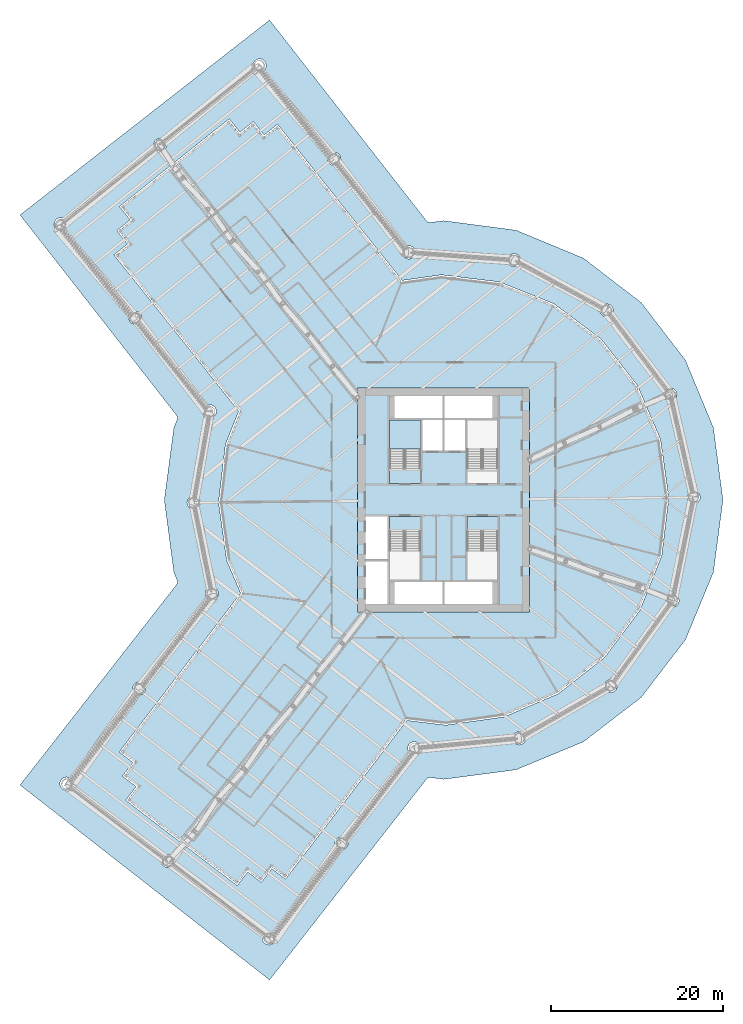
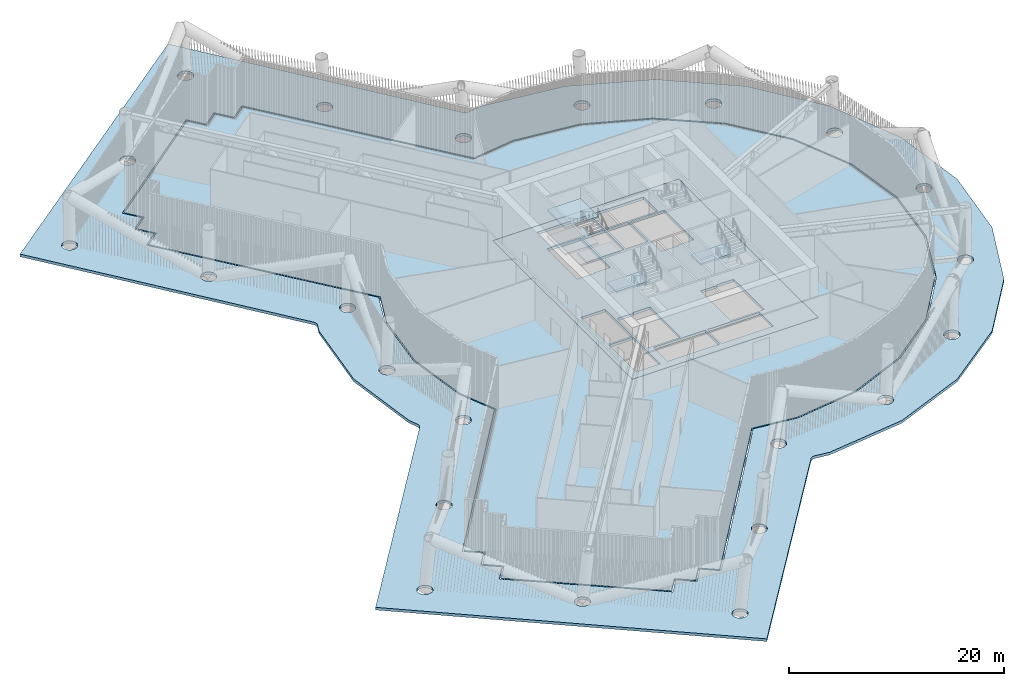
# One storey, part 14 of 48: 8 slabs, 3 elements without a shape of their own.
"""IFC4 building model written with IfcOpenShell, lengths in metres."""

from ifc_helpers import new_model, si_unit, direction, frame, origin, place, context, subcontext, project, spatial, polyline, outline, extrude, material, layer, layer_set, type_object, element, aggregate, save


model = new_model("IFC4")

# Units and contexts
model_context = context("Model", 3, precision=1e-05, world=origin(), true_north=direction((0.0, 1.0)))
body_context = subcontext(model_context, "Body", "Model", "MODEL_VIEW")
ifc_project = project(units=[si_unit("LENGTHUNIT", "METRE"), si_unit("AREAUNIT", "SQUARE_METRE"), si_unit("VOLUMEUNIT", "CUBIC_METRE"), si_unit("PLANEANGLEUNIT", "RADIAN"), si_unit("MASSUNIT", "GRAM", prefix="KILO")], contexts=[model_context])

# Site, building, storey
site_placement = place(None, origin())
site = spatial("IfcSite", under=ifc_project, at=site_placement, CompositionType="ELEMENT")
building_placement = place(site_placement, origin())
building = spatial("IfcBuilding", under=site, at=building_placement, Name="Tarsis Ring Headquarters", CompositionType="ELEMENT")
storey_placement = place(building_placement, frame((0.0, 0.0, 34.0)))
storey = spatial("IfcBuildingStorey", under=building, at=storey_placement, Name="L06", CompositionType="ELEMENT", Elevation=34.0)

# Slab
ifc_material_1 = material(Name="Concrete C40/50", Category="concrete")
ifc_layer_1 = layer(ifc_material_1, 0.300048828125)
ifc_layer_set_1 = layer_set([ifc_layer_1], Name="Core floor slab 300 C40/50")
slab_type_1 = type_object("IfcSlabType", Name="Core floor slab 300 C40/50", PredefinedType="FLOOR", material=ifc_layer_set_1)
slab_1_placement = place(storey_placement, frame((0.0, 0.0, -0.300048828125)))
element("IfcSlab", 1, at=slab_1_placement, inside=storey, type_object=slab_type_1, Name="L06 core floor slab", PredefinedType="FLOOR", context=body_context, shape_type="SweptSolid", body=[
    extrude(outline(polyline([(-10.0, -13.0), (10.0, -13.0), (10.0, 13.0), (-10.0, 13.0), (-10.0, -13.0)]), holes=[polyline([(-2.5, 5.699951171875), (-0.10009765625, 5.699951171875), (-0.10009765625, 9.300048828125), (-2.5, 9.300048828125), (-2.5, 5.699951171875)]), polyline([(0.10009765625, 5.699951171875), (2.5, 5.699951171875), (2.5, 9.300048828125), (0.10009765625, 9.300048828125), (0.10009765625, 5.699951171875)]), polyline([(-9.10009765625, -12.10009765625), (-6.5, -12.10009765625), (-6.5, -7.10009765625), (-9.10009765625, -7.10009765625), (-9.10009765625, -12.10009765625)]), polyline([(-9.10009765625, -6.89990234375), (-6.5, -6.89990234375), (-6.5, -1.89990234375), (-9.10009765625, -1.89990234375), (-9.10009765625, -6.89990234375)]), polyline([(-5.699951171875, 9.5), (-0.10009765625, 9.5), (-0.10009765625, 12.10009765625), (-5.699951171875, 12.10009765625), (-5.699951171875, 9.5)]), polyline([(0.10009765625, 9.5), (5.699951171875, 9.5), (5.699951171875, 12.10009765625), (0.10009765625, 12.10009765625), (0.10009765625, 9.5)]), polyline([(-5.699951171875, -12.10009765625), (-0.10009765625, -12.10009765625), (-0.10009765625, -9.5), (-5.699951171875, -9.5), (-5.699951171875, -12.10009765625)]), polyline([(0.10009765625, -12.10009765625), (5.699951171875, -12.10009765625), (5.699951171875, -9.5), (0.10009765625, -9.5), (0.10009765625, -12.10009765625)]), polyline([(-2.699951171875, 3.760009765625), (-2.699951171875, 9.300048828125), (-6.300048828125, 9.300048828125), (-6.300048828125, 3.659912109375), (-4.4599609375, 3.659912109375), (-4.4599609375, 3.760009765625), (-2.699951171875, 3.760009765625)]), polyline([(6.300048828125, 3.760009765625), (6.300048828125, 9.300048828125), (2.699951171875, 9.300048828125), (2.699951171875, 3.659912109375), (4.5400390625, 3.659912109375), (4.5400390625, 3.760009765625), (6.300048828125, 3.760009765625)]), polyline([(-6.300048828125, -3.760009765625), (-6.300048828125, -9.300048828125), (-2.699951171875, -9.300048828125), (-2.699951171875, -3.659912109375), (-4.5400390625, -3.659912109375), (-4.5400390625, -3.760009765625), (-6.300048828125, -3.760009765625)]), polyline([(2.699951171875, -3.760009765625), (2.699951171875, -9.300048828125), (6.300048828125, -9.300048828125), (6.300048828125, -3.659912109375), (4.4599609375, -3.659912109375), (4.4599609375, -3.760009765625), (2.699951171875, -3.760009765625)])]), origin(), (0.0, 0.0, 1.0), 0.300048828125),
])

# Stair, slabs
ifc_material_2 = material(Name="Core stair 1760")
stair_type = type_object("IfcStairType", Name="Core stair 1760", PredefinedType="HALF_TURN_STAIR", material=ifc_material_2)
stair_1_placement = place(storey_placement, origin())
stair_1 = element("IfcStair", 2, at=stair_1_placement, inside=storey, type_object=stair_type, Name="L06 Firefighting stair", PredefinedType="HALF_TURN_STAIR")
ifc_layer_2 = layer(ifc_material_1, 0.199951171875)
ifc_layer_set_2 = layer_set([ifc_layer_2], Name="Core stair landing 200")
slab_type_2 = type_object("IfcSlabType", Name="Core stair landing 200", PredefinedType="LANDING", material=ifc_layer_set_2)
slab_2_placement = place(storey_placement, frame((0.0, 0.0, 1.300048828125)))
slab_2 = element("IfcSlab", 3, at=slab_2_placement, type_object=slab_type_2, Name="Stair ST1 landing 1", PredefinedType="LANDING", context=body_context, shape_type="SweptSolid", body=[
    extrude(outline(polyline([(-2.699951171875, 5.89990234375), (-2.699951171875, 9.300048828125), (-6.300048828125, 9.300048828125), (-6.300048828125, 5.89990234375), (-2.699951171875, 5.89990234375)])), origin(), (0.0, 0.0, 1.0), 0.199951171875),
])
slab_3_placement = place(storey_placement, frame((0.0, 0.0, 2.800048828125)))
slab_3 = element("IfcSlab", 4, at=slab_3_placement, type_object=slab_type_2, Name="Stair ST1 landing 2", PredefinedType="LANDING", context=body_context, shape_type="SweptSolid", body=[
    extrude(outline(polyline([(-2.699951171875, 1.89990234375), (-2.699951171875, 3.659912109375), (-6.300048828125, 3.659912109375), (-6.300048828125, 1.89990234375), (-2.699951171875, 1.89990234375)])), origin(), (0.0, 0.0, 1.0), 0.199951171875),
])
slab_4_placement = place(storey_placement, frame((0.0, 0.0, 4.300048828125)))
slab_4 = element("IfcSlab", 5, at=slab_4_placement, type_object=slab_type_2, Name="Stair ST1 landing 3", PredefinedType="LANDING", context=body_context, shape_type="SweptSolid", body=[
    extrude(outline(polyline([(-2.699951171875, 5.89990234375), (-2.699951171875, 9.300048828125), (-6.300048828125, 9.300048828125), (-6.300048828125, 5.89990234375), (-2.699951171875, 5.89990234375)])), origin(), (0.0, 0.0, 1.0), 0.199951171875),
])
aggregate(stair_1, [slab_2, slab_3, slab_4])

# Stair, slab
stair_2_placement = place(storey_placement, origin())
stair_2 = element("IfcStair", 6, at=stair_2_placement, inside=storey, type_object=stair_type, Name="L06 Exit stair C", PredefinedType="HALF_TURN_STAIR")
slab_5_placement = place(storey_placement, frame((0.0, 0.0, 2.800048828125)))
slab_5 = element("IfcSlab", 7, at=slab_5_placement, type_object=slab_type_2, Name="Stair ST3 landing 2", PredefinedType="LANDING", context=body_context, shape_type="SweptSolid", body=[
    extrude(outline(polyline([(-6.300048828125, -1.89990234375), (-6.300048828125, -3.659912109375), (-2.699951171875, -3.659912109375), (-2.699951171875, -1.89990234375), (-6.300048828125, -1.89990234375)])), origin(), (0.0, 0.0, 1.0), 0.199951171875),
])
aggregate(stair_2, [slab_5])

stair_3_placement = place(storey_placement, origin())
stair_3 = element("IfcStair", 8, at=stair_3_placement, inside=storey, type_object=stair_type, Name="L06 Exit stair D", PredefinedType="HALF_TURN_STAIR")
slab_6_placement = place(storey_placement, frame((0.0, 0.0, 2.800048828125)))
slab_6 = element("IfcSlab", 9, at=slab_6_placement, type_object=slab_type_2, Name="Stair ST4 landing 2", PredefinedType="LANDING", context=body_context, shape_type="SweptSolid", body=[
    extrude(outline(polyline([(2.699951171875, -1.89990234375), (2.699951171875, -3.659912109375), (6.300048828125, -3.659912109375), (6.300048828125, -1.89990234375), (2.699951171875, -1.89990234375)])), origin(), (0.0, 0.0, 1.0), 0.199951171875),
])
aggregate(stair_3, [slab_6])

# Slabs
ifc_material_3 = material(Name="Concrete C35/45", Category="concrete")
ifc_layer_3 = layer(ifc_material_3, 0.300048828125)
ifc_layer_set_3 = layer_set([ifc_layer_3], Name="FS Composite floor slab 300")
slab_type_3 = type_object("IfcSlabType", Name="FS Composite floor slab 300", PredefinedType="FLOOR", material=ifc_layer_set_3)
slab_7_placement = place(storey_placement, frame((0.0, 0.0, -0.300048828125)))
element("IfcSlab", 10, at=slab_7_placement, inside=storey, type_object=slab_type_3, Name="Floor slab L06", PredefinedType="FLOOR", context=body_context, shape_type="SweptSolid", body=[
    extrude(outline(polyline([(-23.6201171875, 10.35400390625), (-25.18310546875, 6.4658203125), (-25.99853515625, -0.272216796875), (-25.042236328125, -6.991943359375), (-23.398193359375, -10.846435546875), (-37.47216796875, -29.254638671875), (-35.883544921875, -30.46923828125), (-37.09814453125, -32.05810546875), (-35.50927734375, -33.27294921875), (-36.72412109375, -34.86181640625), (-24.013427734375, -44.579833984375), (-22.798828125, -42.990966796875), (-21.2099609375, -44.20556640625), (-19.9951171875, -42.616943359375), (-18.40625, -43.83154296875), (-4.3447265625, -25.43994140625), (0.272216796875, -25.99853515625), (6.991943359375, -25.042236328125), (13.235107421875, -22.37939453125), (18.576171875, -18.191162109375), (22.651611328125, -12.763427734375), (25.18310546875, -6.4658203125), (25.99853515625, 0.272216796875), (25.042236328125, 6.991943359375), (22.37939453125, 13.235107421875), (18.191162109375, 18.576171875), (12.763427734375, 22.651611328125), (6.4658203125, 25.18310546875), (-0.272216796875, 25.99853515625), (-4.876708984375, 25.34326171875), (-19.3203125, 43.4365234375), (-20.88330078125, 42.188720703125), (-22.131103515625, 43.751708984375), (-23.694091796875, 42.50390625), (-24.94189453125, 44.067138671875), (-37.446044921875, 34.0849609375), (-36.198486328125, 32.52197265625), (-37.761474609375, 31.274169921875), (-36.513671875, 29.711181640625), (-38.07666015625, 28.46337890625), (-23.6201171875, 10.35400390625)]), holes=[polyline([(-10.0, -13.0), (-10.0, 13.0), (10.0, 13.0), (10.0, -13.0), (-10.0, -13.0)])]), origin(), (0.0, 0.0, 1.0), 0.300048828125),
])
ifc_layer_4 = layer(ifc_material_1, 0.300048828125)
ifc_layer_set_4 = layer_set([ifc_layer_4], Name="PO-S300R")
slab_type_4 = type_object("IfcSlabType", Name="PO-S300R", PredefinedType="ROOF", material=ifc_layer_set_4)
slab_8_placement = place(storey_placement, frame((0.0, 0.0, -0.300048828125)))
element("IfcSlab", 11, at=slab_8_placement, inside=storey, type_object=slab_type_4, Name="Podium roof slab", PredefinedType="ROOF", context=body_context, shape_type="SweptSolid", body=[
    extrude(outline(polyline([(-2.03076171875, 32.48583984375), (-20.223876953125, 55.77197265625), (-49.22265625, 33.11572265625), (-31.067138671875, 9.87744140625), (-31.03369140625, 9.830322265625), (-31.005126953125, 9.780517578125), (-30.981689453125, 9.72802734375), (-30.963134765625, 9.67333984375), (-30.949951171875, 9.617431640625), (-30.942138671875, 9.560302734375), (-30.93994140625, 9.502685546875), (-30.943115234375, 9.4453125), (-30.951904296875, 9.388427734375), (-30.966064453125, 9.33251953125), (-30.985595703125, 9.2783203125), (-31.349365234375, 8.400146484375), (-32.455322265625, 0.0), (-31.349365234375, -8.400146484375), (-30.985595703125, -9.2783203125), (-30.966064453125, -9.33251953125), (-30.951904296875, -9.388427734375), (-30.943115234375, -9.4453125), (-30.93994140625, -9.502685546875), (-30.942138671875, -9.560302734375), (-30.949951171875, -9.617431640625), (-30.963134765625, -9.67333984375), (-30.981689453125, -9.72802734375), (-31.005126953125, -9.780517578125), (-31.03369140625, -9.830322265625), (-31.067138671875, -9.87744140625), (-49.22265625, -33.11572265625), (-20.223876953125, -55.77197265625), (-2.03076171875, -32.48583984375), (-1.993896484375, -32.44287109375), (-1.953125, -32.40380859375), (-1.90869140625, -32.368408203125), (-1.861328125, -32.337646484375), (-1.81103515625, -32.311279296875), (-1.7587890625, -32.289794921875), (-1.70458984375, -32.2734375), (-1.649169921875, -32.26220703125), (-1.5927734375, -32.25634765625), (-1.5361328125, -32.255615234375), (-1.479736328125, -32.260498046875), (0.0, -32.455322265625), (8.400146484375, -31.349365234375), (16.2275390625, -28.10693359375), (22.94921875, -22.94921875), (28.10693359375, -16.2275390625), (31.349365234375, -8.400146484375), (32.455322265625, 0.0), (31.349365234375, 8.400146484375), (28.10693359375, 16.2275390625), (22.94921875, 22.94921875), (16.2275390625, 28.10693359375), (8.400146484375, 31.349365234375), (0.0, 32.455322265625), (-1.479736328125, 32.260498046875), (-1.5361328125, 32.255615234375), (-1.5927734375, 32.25634765625), (-1.649169921875, 32.26220703125), (-1.70458984375, 32.2734375), (-1.7587890625, 32.289794921875), (-1.81103515625, 32.311279296875), (-1.861328125, 32.337646484375), (-1.90869140625, 32.368408203125), (-1.953125, 32.40380859375), (-1.993896484375, 32.44287109375), (-2.03076171875, 32.48583984375)]), holes=[polyline([(-25.32958984375, 6.503662109375), (-23.7919921875, 10.328857421875), (-38.28759765625, 28.487060546875), (-36.724365234375, 29.73486328125), (-37.97216796875, 31.2978515625), (-36.4091796875, 32.545654296875), (-37.656982421875, 34.108642578125), (-24.918212890625, 44.27783203125), (-23.67041015625, 42.71484375), (-22.107421875, 43.962646484375), (-20.859619140625, 42.399658203125), (-19.296630859375, 43.647216796875), (-4.812744140625, 25.50390625), (-0.27392578125, 26.14990234375), (6.503662109375, 25.32958984375), (12.837890625, 22.783447265625), (18.297119140625, 18.684326171875), (22.509521484375, 13.31201171875), (25.18798828125, 7.03271484375), (26.14990234375, 0.27392578125), (25.32958984375, -6.503662109375), (22.783447265625, -12.837890625), (18.684326171875, -18.297119140625), (13.31201171875, -22.509521484375), (7.03271484375, -25.18798828125), (0.27392578125, -26.14990234375), (-4.277587890625, -25.59912109375), (-18.378173828125, -44.041748046875), (-19.967041015625, -42.8271484375), (-21.181884765625, -44.416015625), (-22.770751953125, -43.201171875), (-23.9853515625, -44.7900390625), (-36.934326171875, -34.889892578125), (-35.7197265625, -33.301025390625), (-37.308349609375, -32.086181640625), (-36.09375, -30.497314453125), (-37.6826171875, -29.28271484375), (-23.570556640625, -10.82470703125), (-25.18798828125, -7.03271484375), (-26.14990234375, -0.27392578125), (-25.32958984375, 6.503662109375)]), polyline([(-19.93701171875, -51.583740234375), (-20.117919921875, -51.65869140625), (-20.31201171875, -51.684326171875), (-20.506103515625, -51.65869140625), (-20.68701171875, -51.583740234375), (-20.842529296875, -51.464599609375), (-20.961669921875, -51.309326171875), (-21.03662109375, -51.12841796875), (-21.06201171875, -50.934326171875), (-21.03662109375, -50.740234375), (-20.961669921875, -50.559326171875), (-20.842529296875, -50.40380859375), (-20.68701171875, -50.28466796875), (-20.506103515625, -50.209716796875), (-20.31201171875, -50.184326171875), (-20.117919921875, -50.209716796875), (-19.93701171875, -50.28466796875), (-19.78173828125, -50.40380859375), (-19.66259765625, -50.559326171875), (-19.587646484375, -50.740234375), (-19.56201171875, -50.934326171875), (-19.587646484375, -51.12841796875), (-19.66259765625, -51.309326171875), (-19.78173828125, -51.464599609375), (-19.93701171875, -51.583740234375)]), polyline([(-31.6943359375, -42.5947265625), (-31.875244140625, -42.66943359375), (-32.0693359375, -42.695068359375), (-32.263671875, -42.66943359375), (-32.4443359375, -42.5947265625), (-32.599853515625, -42.475341796875), (-32.718994140625, -42.320068359375), (-32.7939453125, -42.13916015625), (-32.8193359375, -41.945068359375), (-32.7939453125, -41.7509765625), (-32.718994140625, -41.570068359375), (-32.599853515625, -41.414794921875), (-32.4443359375, -41.295654296875), (-32.263671875, -41.220703125), (-32.0693359375, -41.195068359375), (-31.875244140625, -41.220703125), (-31.6943359375, -41.295654296875), (-31.5390625, -41.414794921875), (-31.419921875, -41.570068359375), (-31.344970703125, -41.7509765625), (-31.3193359375, -41.945068359375), (-31.344970703125, -42.13916015625), (-31.419921875, -42.320068359375), (-31.5390625, -42.475341796875), (-31.6943359375, -42.5947265625)]), polyline([(-43.45166015625, -33.60546875), (-43.632568359375, -33.680419921875), (-43.82666015625, -33.705810546875), (-44.02099609375, -33.680419921875), (-44.20166015625, -33.60546875), (-44.357177734375, -33.486328125), (-44.476318359375, -33.330810546875), (-44.55126953125, -33.150146484375), (-44.57666015625, -32.955810546875), (-44.55126953125, -32.76171875), (-44.476318359375, -32.580810546875), (-44.357177734375, -32.425537109375), (-44.20166015625, -32.306396484375), (-44.02099609375, -32.2314453125), (-43.82666015625, -32.205810546875), (-43.632568359375, -32.2314453125), (-43.45166015625, -32.306396484375), (-43.29638671875, -32.425537109375), (-43.17724609375, -32.580810546875), (-43.102294921875, -32.76171875), (-43.07666015625, -32.955810546875), (-43.102294921875, -33.150146484375), (-43.17724609375, -33.330810546875), (-43.29638671875, -33.486328125), (-43.45166015625, -33.60546875)]), polyline([(-35.188720703125, -22.63623046875), (-35.3828125, -22.661865234375), (-35.576904296875, -22.63623046875), (-35.7578125, -22.561279296875), (-35.913330078125, -22.442138671875), (-36.032470703125, -22.286865234375), (-36.107421875, -22.10595703125), (-36.1328125, -21.911865234375), (-36.107421875, -21.7177734375), (-36.032470703125, -21.536865234375), (-35.913330078125, -21.38134765625), (-35.7578125, -21.26220703125), (-35.576904296875, -21.187255859375), (-35.3828125, -21.161865234375), (-35.188720703125, -21.187255859375), (-35.0078125, -21.26220703125), (-34.8525390625, -21.38134765625), (-34.7333984375, -21.536865234375), (-34.658447265625, -21.7177734375), (-34.6328125, -21.911865234375), (-34.658447265625, -22.10595703125), (-34.7333984375, -22.286865234375), (-34.8525390625, -22.442138671875), (-35.0078125, -22.561279296875), (-35.188720703125, -22.63623046875)]), polyline([(-26.744873046875, -11.592041015625), (-26.93896484375, -11.61767578125), (-27.133056640625, -11.592041015625), (-27.31396484375, -11.51708984375), (-27.46923828125, -11.39794921875), (-27.588623046875, -11.24267578125), (-27.66357421875, -11.061767578125), (-27.68896484375, -10.86767578125), (-27.66357421875, -10.673583984375), (-27.588623046875, -10.49267578125), (-27.46923828125, -10.33740234375), (-27.31396484375, -10.218017578125), (-27.133056640625, -10.143310546875), (-26.93896484375, -10.11767578125), (-26.744873046875, -10.143310546875), (-26.56396484375, -10.218017578125), (-26.40869140625, -10.33740234375), (-26.28955078125, -10.49267578125), (-26.214599609375, -10.673583984375), (-26.18896484375, -10.86767578125), (-26.214599609375, -11.061767578125), (-26.28955078125, -11.24267578125), (-26.40869140625, -11.39794921875), (-26.56396484375, -11.51708984375), (-26.744873046875, -11.592041015625)]), polyline([(-28.671875, -0.95361328125), (-28.852783203125, -1.028564453125), (-29.046875, -1.05419921875), (-29.240966796875, -1.028564453125), (-29.421875, -0.95361328125), (-29.5771484375, -0.83447265625), (-29.696533203125, -0.67919921875), (-29.771484375, -0.498291015625), (-29.796875, -0.30419921875), (-29.771484375, -0.110107421875), (-29.696533203125, 0.07080078125), (-29.5771484375, 0.22607421875), (-29.421875, 0.34521484375), (-29.240966796875, 0.420166015625), (-29.046875, 0.44580078125), (-28.852783203125, 0.420166015625), (-28.671875, 0.34521484375), (-28.5166015625, 0.22607421875), (-28.3974609375, 0.07080078125), (-28.322509765625, -0.110107421875), (-28.296875, -0.30419921875), (-28.322509765625, -0.498291015625), (-28.3974609375, -0.67919921875), (-28.5166015625, -0.83447265625), (-28.671875, -0.95361328125)]), polyline([(-26.966552734375, 9.57666015625), (-27.16064453125, 9.551025390625), (-27.354736328125, 9.57666015625), (-27.53564453125, 9.651611328125), (-27.69091796875, 9.770751953125), (-27.810302734375, 9.926025390625), (-27.88525390625, 10.10693359375), (-27.91064453125, 10.301025390625), (-27.88525390625, 10.4951171875), (-27.810302734375, 10.676025390625), (-27.69091796875, 10.83154296875), (-27.53564453125, 10.95068359375), (-27.354736328125, 11.025634765625), (-27.16064453125, 11.051025390625), (-26.966552734375, 11.025634765625), (-26.78564453125, 10.95068359375), (-26.63037109375, 10.83154296875), (-26.51123046875, 10.676025390625), (-26.436279296875, 10.4951171875), (-26.41064453125, 10.301025390625), (-26.436279296875, 10.10693359375), (-26.51123046875, 9.926025390625), (-26.63037109375, 9.770751953125), (-26.78564453125, 9.651611328125), (-26.966552734375, 9.57666015625)]), polyline([(-35.639892578125, 20.441650390625), (-35.833984375, 20.416015625), (-36.028076171875, 20.441650390625), (-36.208984375, 20.516357421875), (-36.3642578125, 20.6357421875), (-36.483642578125, 20.791015625), (-36.558349609375, 20.971923828125), (-36.583984375, 21.166015625), (-36.558349609375, 21.360107421875), (-36.483642578125, 21.541015625), (-36.3642578125, 21.6962890625), (-36.208984375, 21.8154296875), (-36.028076171875, 21.890380859375), (-35.833984375, 21.916015625), (-35.639892578125, 21.890380859375), (-35.458984375, 21.8154296875), (-35.3037109375, 21.6962890625), (-35.1845703125, 21.541015625), (-35.109619140625, 21.360107421875), (-35.083984375, 21.166015625), (-35.109619140625, 20.971923828125), (-35.1845703125, 20.791015625), (-35.3037109375, 20.6357421875), (-35.458984375, 20.516357421875), (-35.639892578125, 20.441650390625)]), polyline([(-44.13232421875, 31.38134765625), (-44.313232421875, 31.306396484375), (-44.50732421875, 31.28076171875), (-44.701416015625, 31.306396484375), (-44.88232421875, 31.38134765625), (-45.03759765625, 31.50048828125), (-45.156982421875, 31.65576171875), (-45.231689453125, 31.836669921875), (-45.25732421875, 32.03076171875), (-45.231689453125, 32.22509765625), (-45.156982421875, 32.40576171875), (-45.03759765625, 32.561279296875), (-44.88232421875, 32.680419921875), (-44.701416015625, 32.75537109375), (-44.50732421875, 32.78076171875), (-44.313232421875, 32.75537109375), (-44.13232421875, 32.680419921875), (-43.97705078125, 32.561279296875), (-43.85791015625, 32.40576171875), (-43.782958984375, 32.22509765625), (-43.75732421875, 32.03076171875), (-43.782958984375, 31.836669921875), (-43.85791015625, 31.65576171875), (-43.97705078125, 31.50048828125), (-44.13232421875, 31.38134765625)]), polyline([(-32.746826171875, 40.539794921875), (-32.94091796875, 40.51416015625), (-33.135009765625, 40.539794921875), (-33.31591796875, 40.61474609375), (-33.47119140625, 40.73388671875), (-33.59033203125, 40.88916015625), (-33.665283203125, 41.070068359375), (-33.69091796875, 41.26416015625), (-33.665283203125, 41.45849609375), (-33.59033203125, 41.63916015625), (-33.47119140625, 41.794677734375), (-33.31591796875, 41.913818359375), (-33.135009765625, 41.98876953125), (-32.94091796875, 42.01416015625), (-32.746826171875, 41.98876953125), (-32.56591796875, 41.913818359375), (-32.410400390625, 41.794677734375), (-32.291259765625, 41.63916015625), (-32.21630859375, 41.45849609375), (-32.19091796875, 41.26416015625), (-32.21630859375, 41.070068359375), (-32.291259765625, 40.88916015625), (-32.410400390625, 40.73388671875), (-32.56591796875, 40.61474609375), (-32.746826171875, 40.539794921875)]), polyline([(-21.18017578125, 49.773193359375), (-21.374267578125, 49.747802734375), (-21.568359375, 49.773193359375), (-21.749267578125, 49.84814453125), (-21.90478515625, 49.96728515625), (-22.02392578125, 50.122802734375), (-22.098876953125, 50.303466796875), (-22.124267578125, 50.497802734375), (-22.098876953125, 50.69189453125), (-22.02392578125, 50.872802734375), (-21.90478515625, 51.028076171875), (-21.749267578125, 51.147216796875), (-21.568359375, 51.22216796875), (-21.374267578125, 51.247802734375), (-21.18017578125, 51.22216796875), (-20.999267578125, 51.147216796875), (-20.843994140625, 51.028076171875), (-20.724853515625, 50.872802734375), (-20.64990234375, 50.69189453125), (-20.624267578125, 50.497802734375), (-20.64990234375, 50.303466796875), (-20.724853515625, 50.122802734375), (-20.843994140625, 49.96728515625), (-20.999267578125, 49.84814453125), (-21.18017578125, 49.773193359375)]), polyline([(-11.4931640625, -40.53955078125), (-11.674072265625, -40.614501953125), (-11.8681640625, -40.64013671875), (-12.062255859375, -40.614501953125), (-12.2431640625, -40.53955078125), (-12.3984375, -40.42041015625), (-12.517822265625, -40.26513671875), (-12.5927734375, -40.084228515625), (-12.6181640625, -39.89013671875), (-12.5927734375, -39.696044921875), (-12.517822265625, -39.51513671875), (-12.3984375, -39.35986328125), (-12.2431640625, -39.240478515625), (-12.062255859375, -39.165771484375), (-11.8681640625, -39.14013671875), (-11.674072265625, -39.165771484375), (-11.4931640625, -39.240478515625), (-11.337890625, -39.35986328125), (-11.21875, -39.51513671875), (-11.143798828125, -39.696044921875), (-11.1181640625, -39.89013671875), (-11.143798828125, -40.084228515625), (-11.21875, -40.26513671875), (-11.337890625, -40.42041015625), (-11.4931640625, -40.53955078125)]), polyline([(-3.04931640625, -29.49560546875), (-3.230224609375, -29.5703125), (-3.42431640625, -29.595947265625), (-3.618408203125, -29.5703125), (-3.79931640625, -29.49560546875), (-3.95458984375, -29.376220703125), (-4.073974609375, -29.220947265625), (-4.148681640625, -29.0400390625), (-4.17431640625, -28.845947265625), (-4.148681640625, -28.65185546875), (-4.073974609375, -28.470947265625), (-3.95458984375, -28.315673828125), (-3.79931640625, -28.196533203125), (-3.618408203125, -28.12158203125), (-3.42431640625, -28.095947265625), (-3.230224609375, -28.12158203125), (-3.04931640625, -28.196533203125), (-2.89404296875, -28.315673828125), (-2.77490234375, -28.470947265625), (-2.699951171875, -28.65185546875), (-2.67431640625, -28.845947265625), (-2.699951171875, -29.0400390625), (-2.77490234375, -29.220947265625), (-2.89404296875, -29.376220703125), (-3.04931640625, -29.49560546875)]), polyline([(9.14501953125, -28.342529296875), (8.964111328125, -28.41748046875), (8.77001953125, -28.44287109375), (8.575927734375, -28.41748046875), (8.39501953125, -28.342529296875), (8.23974609375, -28.223388671875), (8.12060546875, -28.06787109375), (8.045654296875, -27.88720703125), (8.02001953125, -27.69287109375), (8.045654296875, -27.498779296875), (8.12060546875, -27.31787109375), (8.23974609375, -27.16259765625), (8.39501953125, -27.04345703125), (8.575927734375, -26.968505859375), (8.77001953125, -26.94287109375), (8.964111328125, -26.968505859375), (9.14501953125, -27.04345703125), (9.300537109375, -27.16259765625), (9.419677734375, -27.31787109375), (9.49462890625, -27.498779296875), (9.52001953125, -27.69287109375), (9.49462890625, -27.88720703125), (9.419677734375, -28.06787109375), (9.300537109375, -28.223388671875), (9.14501953125, -28.342529296875)]), polyline([(19.599365234375, -22.340576171875), (19.4052734375, -22.365966796875), (19.211181640625, -22.340576171875), (19.0302734375, -22.265625), (18.875, -22.146484375), (18.755615234375, -21.990966796875), (18.6806640625, -21.81005859375), (18.6552734375, -21.615966796875), (18.6806640625, -21.421875), (18.755615234375, -21.240966796875), (18.875, -21.085693359375), (19.0302734375, -20.966552734375), (19.211181640625, -20.8916015625), (19.4052734375, -20.865966796875), (19.599365234375, -20.8916015625), (19.7802734375, -20.966552734375), (19.935546875, -21.085693359375), (20.0546875, -21.240966796875), (20.129638671875, -21.421875), (20.1552734375, -21.615966796875), (20.129638671875, -21.81005859375), (20.0546875, -21.990966796875), (19.935546875, -22.146484375), (19.7802734375, -22.265625), (19.599365234375, -22.340576171875)]), polyline([(26.7841796875, -12.420166015625), (26.590087890625, -12.44580078125), (26.395751953125, -12.420166015625), (26.215087890625, -12.34521484375), (26.0595703125, -12.22607421875), (25.9404296875, -12.07080078125), (25.865478515625, -11.889892578125), (25.840087890625, -11.69580078125), (25.865478515625, -11.501708984375), (25.9404296875, -11.32080078125), (26.0595703125, -11.165283203125), (26.215087890625, -11.046142578125), (26.395751953125, -10.97119140625), (26.590087890625, -10.94580078125), (26.7841796875, -10.97119140625), (26.965087890625, -11.046142578125), (27.120361328125, -11.165283203125), (27.239501953125, -11.32080078125), (27.314453125, -11.501708984375), (27.340087890625, -11.69580078125), (27.314453125, -11.889892578125), (27.239501953125, -12.07080078125), (27.120361328125, -12.22607421875), (26.965087890625, -12.34521484375), (26.7841796875, -12.420166015625)]), polyline([(29.421875, -0.34521484375), (29.240966796875, -0.420166015625), (29.046875, -0.44580078125), (28.852783203125, -0.420166015625), (28.671875, -0.34521484375), (28.5166015625, -0.22607421875), (28.3974609375, -0.07080078125), (28.322509765625, 0.110107421875), (28.296875, 0.30419921875), (28.322509765625, 0.498291015625), (28.3974609375, 0.67919921875), (28.5166015625, 0.83447265625), (28.671875, 0.95361328125), (28.852783203125, 1.028564453125), (29.046875, 1.05419921875), (29.240966796875, 1.028564453125), (29.421875, 0.95361328125), (29.5771484375, 0.83447265625), (29.696533203125, 0.67919921875), (29.771484375, 0.498291015625), (29.796875, 0.30419921875), (29.771484375, 0.110107421875), (29.696533203125, -0.07080078125), (29.5771484375, -0.22607421875), (29.421875, -0.34521484375)]), polyline([(26.533203125, 11.525634765625), (26.339111328125, 11.5), (26.14501953125, 11.525634765625), (25.964111328125, 11.6005859375), (25.808837890625, 11.7197265625), (25.689697265625, 11.875), (25.61474609375, 12.055908203125), (25.589111328125, 12.25), (25.61474609375, 12.444091796875), (25.689697265625, 12.625), (25.808837890625, 12.7802734375), (25.964111328125, 12.8994140625), (26.14501953125, 12.974365234375), (26.339111328125, 13.0), (26.533203125, 12.974365234375), (26.714111328125, 12.8994140625), (26.86962890625, 12.7802734375), (26.98876953125, 12.625), (27.063720703125, 12.444091796875), (27.089111328125, 12.25), (27.063720703125, 12.055908203125), (26.98876953125, 11.875), (26.86962890625, 11.7197265625), (26.714111328125, 11.6005859375), (26.533203125, 11.525634765625)]), polyline([(19.142333984375, 21.293212890625), (18.9482421875, 21.267822265625), (18.754150390625, 21.293212890625), (18.5732421875, 21.3681640625), (18.41796875, 21.4873046875), (18.298828125, 21.642822265625), (18.223876953125, 21.823486328125), (18.1982421875, 22.017822265625), (18.223876953125, 22.2119140625), (18.298828125, 22.392822265625), (18.41796875, 22.548095703125), (18.5732421875, 22.667236328125), (18.754150390625, 22.7421875), (18.9482421875, 22.767822265625), (19.142333984375, 22.7421875), (19.3232421875, 22.667236328125), (19.478515625, 22.548095703125), (19.597900390625, 22.392822265625), (19.672607421875, 22.2119140625), (19.6982421875, 22.017822265625), (19.672607421875, 21.823486328125), (19.597900390625, 21.642822265625), (19.478515625, 21.4873046875), (19.3232421875, 21.3681640625), (19.142333984375, 21.293212890625)]), polyline([(8.563232421875, 27.220947265625), (8.38232421875, 27.146240234375), (8.188232421875, 27.12060546875), (7.994140625, 27.146240234375), (7.813232421875, 27.220947265625), (7.657958984375, 27.34033203125), (7.538818359375, 27.49560546875), (7.4638671875, 27.676513671875), (7.438232421875, 27.87060546875), (7.4638671875, 28.064697265625), (7.538818359375, 28.24560546875), (7.657958984375, 28.40087890625), (7.813232421875, 28.52001953125), (7.994140625, 28.594970703125), (8.188232421875, 28.62060546875), (8.38232421875, 28.594970703125), (8.563232421875, 28.52001953125), (8.718505859375, 28.40087890625), (8.837646484375, 28.24560546875), (8.91259765625, 28.064697265625), (8.938232421875, 27.87060546875), (8.91259765625, 27.676513671875), (8.837646484375, 27.49560546875), (8.718505859375, 27.34033203125), (8.563232421875, 27.220947265625)]), polyline([(-3.83349609375, 28.04345703125), (-4.027587890625, 28.017822265625), (-4.221923828125, 28.04345703125), (-4.402587890625, 28.118408203125), (-4.55810546875, 28.237548828125), (-4.67724609375, 28.392822265625), (-4.752197265625, 28.57373046875), (-4.777587890625, 28.767822265625), (-4.752197265625, 28.962158203125), (-4.67724609375, 29.142822265625), (-4.55810546875, 29.29833984375), (-4.402587890625, 29.41748046875), (-4.221923828125, 29.492431640625), (-4.027587890625, 29.517822265625), (-3.83349609375, 29.492431640625), (-3.652587890625, 29.41748046875), (-3.497314453125, 29.29833984375), (-3.378173828125, 29.142822265625), (-3.30322265625, 28.962158203125), (-3.277587890625, 28.767822265625), (-3.30322265625, 28.57373046875), (-3.378173828125, 28.392822265625), (-3.497314453125, 28.237548828125), (-3.652587890625, 28.118408203125), (-3.83349609375, 28.04345703125)]), polyline([(-12.5068359375, 38.908447265625), (-12.700927734375, 38.8828125), (-12.89501953125, 38.908447265625), (-13.075927734375, 38.9833984375), (-13.2314453125, 39.1025390625), (-13.3505859375, 39.2578125), (-13.425537109375, 39.438720703125), (-13.450927734375, 39.6328125), (-13.425537109375, 39.826904296875), (-13.3505859375, 40.0078125), (-13.2314453125, 40.1630859375), (-13.075927734375, 40.2822265625), (-12.89501953125, 40.357177734375), (-12.700927734375, 40.3828125), (-12.5068359375, 40.357177734375), (-12.325927734375, 40.2822265625), (-12.170654296875, 40.1630859375), (-12.051513671875, 40.0078125), (-11.9765625, 39.826904296875), (-11.950927734375, 39.6328125), (-11.9765625, 39.438720703125), (-12.051513671875, 39.2578125), (-12.170654296875, 39.1025390625), (-12.325927734375, 38.9833984375), (-12.5068359375, 38.908447265625)])]), origin(), (0.0, 0.0, 1.0), 0.300048828125),
])

save(model, "model.ifc")
